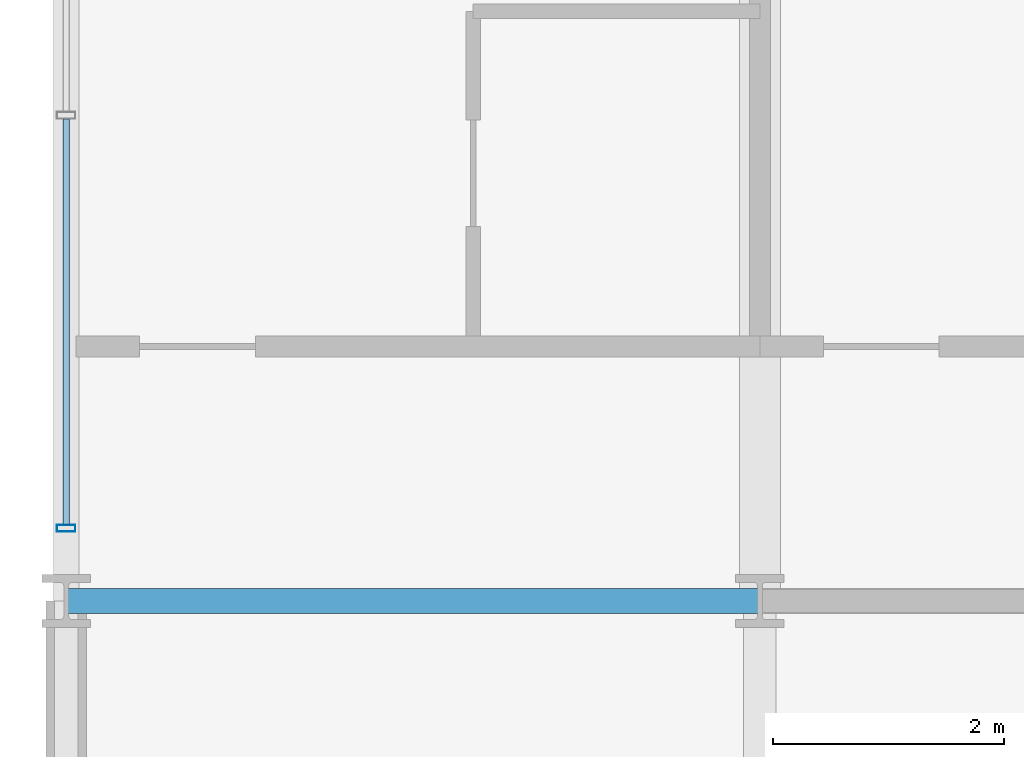
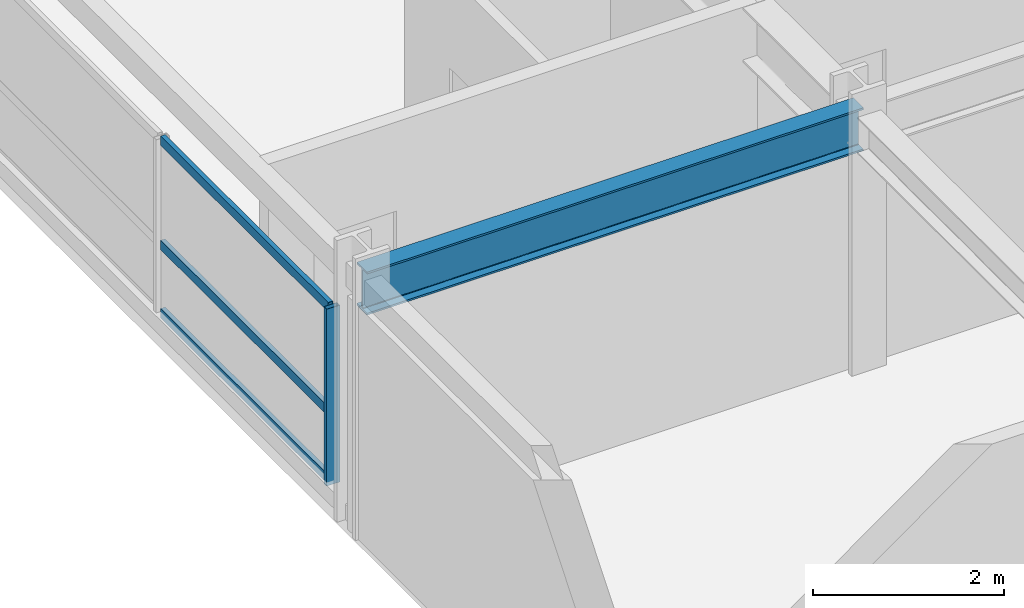
# One storey, part 6 of 27: 4 members, 1 beam, 1 element without a shape of its own.
"""IFC4 building model written with IfcOpenShell, lengths in metres."""

from ifc_helpers import new_model, si_unit, direction, frame, origin, origin_2d, place, context, subcontext, project, spatial, hollow_rectangle, i_section, extrude, material, material_profile, profile_set, type_object, element, aggregate, save


model = new_model("IFC4")

# Units and contexts
model_context = context("Model", 3, precision=1e-05, world=origin(), true_north=direction((0.0, 1.0)))
body_context = subcontext(model_context, "Body", "Model", "MODEL_VIEW")
ifc_project = project(units=[si_unit("LENGTHUNIT", "METRE"), si_unit("AREAUNIT", "SQUARE_METRE"), si_unit("VOLUMEUNIT", "CUBIC_METRE"), si_unit("PLANEANGLEUNIT", "RADIAN"), si_unit("MASSUNIT", "GRAM", prefix="KILO")], contexts=[model_context])

# Site, building, storey
site_placement = place(None, origin())
site = spatial("IfcSite", under=ifc_project, at=site_placement, CompositionType="ELEMENT")
building_placement = place(site_placement, origin())
building = spatial("IfcBuilding", under=site, at=building_placement, Name="Kaldorvane Square Convention Centre", CompositionType="ELEMENT")
storey_placement = place(building_placement, frame((0.0, 0.0, 38.399993896484375)))
storey = spatial("IfcBuildingStorey", under=building, at=storey_placement, Name="L08", CompositionType="ELEMENT", Elevation=38.399993896484375)

# Beam
ifc_material_1 = material(Name="Steel ASTM A992 Gr. 50", Category="steel")
ifc_material_profile_1 = material_profile(ifc_material_1, i_section(OverallWidth=0.213897705078125, OverallDepth=0.549102783203125, WebThickness=0.0146942138671875, FlangeThickness=0.0236053466796875, FilletRadius=0.0126953125, at=origin_2d()), Name="W21X93")
ifc_profile_set_1 = profile_set([ifc_material_profile_1], Name="Steel ASTM A992 Gr. 50")
beam_type = type_object("IfcBeamType", Name="BM-GR-W21X93", PredefinedType="BEAM", material=ifc_profile_set_1)
beam_placement = place(storey_placement, frame((24.0, 105.0, 3.011505126953125), z_axis=(1.0, 0.0, 0.0), x_axis=(0.0, 1.0, 0.0)))
element("IfcBeam", 1, at=beam_placement, inside=storey, type_object=beam_type, Name="Primary Girder (L08)", PredefinedType="BEAM", context=body_context, shape_type="SweptSolid", body=[
    extrude(i_section(OverallWidth=0.213897705078125, OverallDepth=0.549102783203125, WebThickness=0.0146942138671875, FlangeThickness=0.0236053466796875, FilletRadius=0.0126953125, at=origin_2d()), origin(), (0.0, 0.0, 1.0), 6.0),
])

# Curtain wall, members
ifc_material_2 = material(Name="Anodized Aluminum and Low-E Insulated Glazing", Category="aluminium")
curtain_wall_type = type_object("IfcCurtainWallType", Name="CW-UNI-HTL-B", PredefinedType="USERDEFINED", material=ifc_material_2)
curtain_wall_placement = place(storey_placement, origin())
curtain_wall = element("IfcCurtainWall", 2, at=curtain_wall_placement, inside=storey, type_object=curtain_wall_type, Name="Curtain Wall CW-11 (L08)", ObjectType="UNITISED GLAZING", PredefinedType="USERDEFINED")
ifc_material_profile_2 = material_profile(ifc_material_2, hollow_rectangle(XDim=0.05999755859375, YDim=0.160003662109375, WallThickness=0.003204345703125, at=origin_2d()), Name="CWM-160X60")
ifc_profile_set_2 = profile_set([ifc_material_profile_2], Name="Anodized Aluminum and Low-E Insulated Glazing")
member_type_1 = type_object("IfcMemberType", Name="CW-MUL-160", PredefinedType="MULLION", material=ifc_profile_set_2)
member_1_placement = place(storey_placement, frame((24.0, 105.6300048828125, 0.1500091552734375), z_axis=(0.0, 0.0, 1.0), x_axis=(0.0, -1.0, 0.0)))
member_1 = element("IfcMember", 3, at=member_1_placement, type_object=member_type_1, Name="CW-11 mullion 4", PredefinedType="MULLION", context=body_context, shape_type="SweptSolid", body=[
    extrude(hollow_rectangle(XDim=0.05999755859375, YDim=0.160003662109375, WallThickness=0.003204345703125, at=origin_2d()), origin(), (0.0, 0.0, 1.0), 2.2599945068359375),
])
ifc_material_profile_3 = material_profile(ifc_material_2, hollow_rectangle(XDim=0.05499267578125, YDim=0.1199951171875, WallThickness=0.0030059814453125, at=origin_2d()), Name="CWT-120X55")
ifc_profile_set_3 = profile_set([ifc_material_profile_3], Name="Anodized Aluminum and Low-E Insulated Glazing")
member_type_2 = type_object("IfcMemberType", Name="CW-TRN-120", PredefinedType="USERDEFINED", material=ifc_profile_set_3)
member_2_placement = place(storey_placement, frame((24.0, 109.16999816894531, 0.1775054931640625), z_axis=(0.0, -1.0, 0.0), x_axis=(1.0, 0.0, 0.0)))
member_2 = element("IfcMember", 4, at=member_2_placement, type_object=member_type_2, Name="CW-11 transom 3.1", ObjectType="TRANSOM", PredefinedType="USERDEFINED", context=body_context, shape_type="SweptSolid", body=[
    extrude(hollow_rectangle(XDim=0.05499267578125, YDim=0.1199951171875, WallThickness=0.0030059814453125, at=origin_2d()), origin(), (0.0, 0.0, 1.0), 3.5099945068359375),
])
member_3_placement = place(storey_placement, frame((24.0, 109.16999816894531, 1.0500030517578125), z_axis=(0.0, -1.0, 0.0), x_axis=(1.0, 0.0, 0.0)))
member_3 = element("IfcMember", 5, at=member_3_placement, type_object=member_type_2, Name="CW-11 transom 3.2", ObjectType="TRANSOM", PredefinedType="USERDEFINED", context=body_context, shape_type="SweptSolid", body=[
    extrude(hollow_rectangle(XDim=0.05499267578125, YDim=0.1199951171875, WallThickness=0.0030059814453125, at=origin_2d()), origin(), (0.0, 0.0, 1.0), 3.5099945068359375),
])
member_4_placement = place(storey_placement, frame((24.0, 109.16999816894531, 2.38250732421875), z_axis=(0.0, -1.0, 0.0), x_axis=(1.0, 0.0, 0.0)))
member_4 = element("IfcMember", 6, at=member_4_placement, type_object=member_type_2, Name="CW-11 transom 3.3", ObjectType="TRANSOM", PredefinedType="USERDEFINED", context=body_context, shape_type="SweptSolid", body=[
    extrude(hollow_rectangle(XDim=0.05499267578125, YDim=0.1199951171875, WallThickness=0.0030059814453125, at=origin_2d()), origin(), (0.0, 0.0, 1.0), 3.5099945068359375),
])
aggregate(curtain_wall, [member_1, member_2, member_3, member_4])

save(model, "model.ifc")
